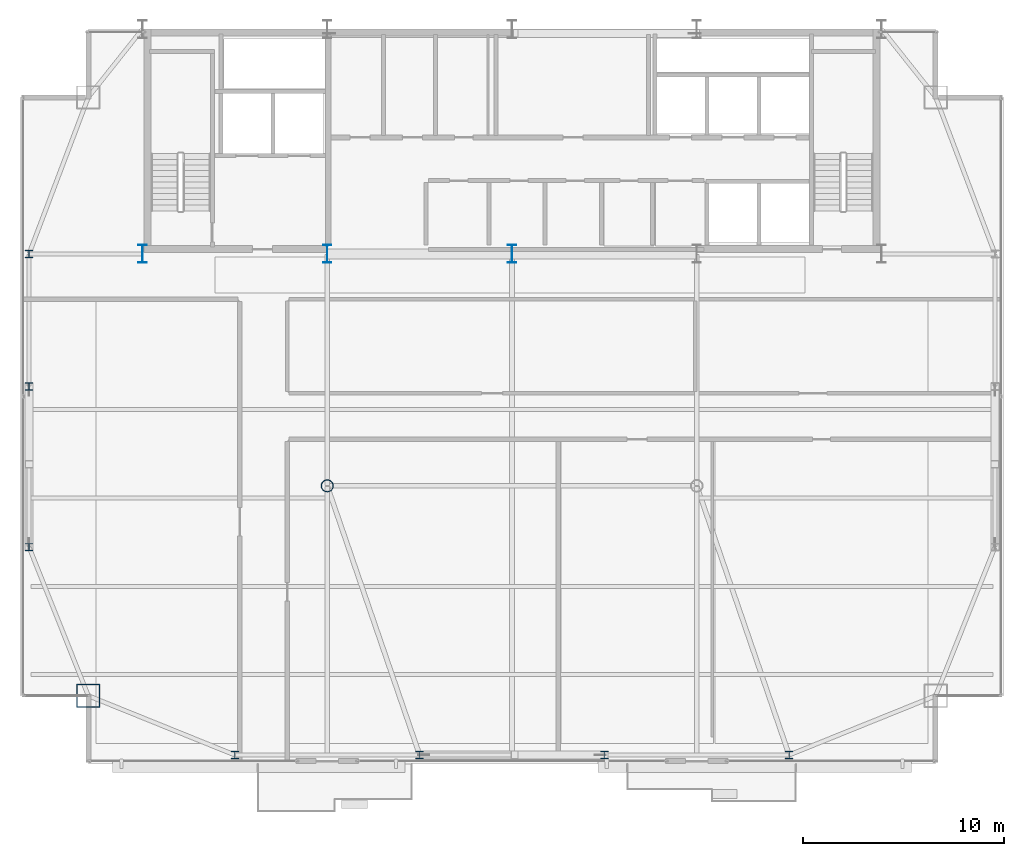
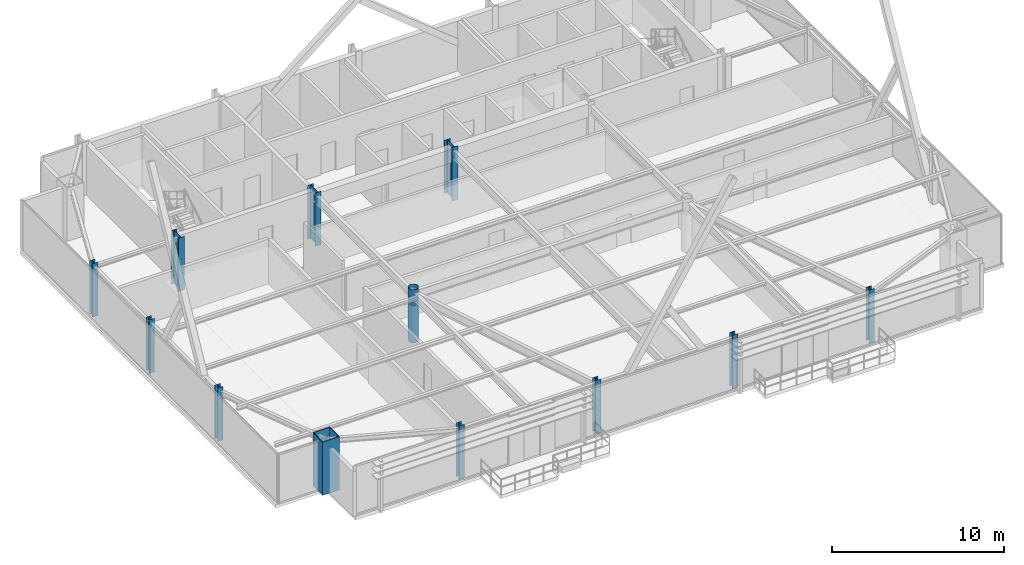
# One storey, part 1 of 31: 12 columns.
"""IFC4 building model written with IfcOpenShell, lengths in metres."""

from ifc_helpers import new_model, si_unit, direction, frame, origin, origin_2d, place, context, subcontext, project, spatial, hollow_rectangle, hollow_circle, i_section, extrude, source, transform, mapped, material, material_profile, profile_set, type_object, type_shapes, element, save


model = new_model("IFC4")

# Units and contexts
model_context = context("Model", 3, precision=1e-05, world=origin(), true_north=direction((0.0, 1.0)))
body_context = subcontext(model_context, "Body", "Model", "MODEL_VIEW")
ifc_project = project(units=[si_unit("LENGTHUNIT", "METRE"), si_unit("AREAUNIT", "SQUARE_METRE"), si_unit("VOLUMEUNIT", "CUBIC_METRE"), si_unit("PLANEANGLEUNIT", "RADIAN"), si_unit("MASSUNIT", "GRAM", prefix="KILO")], contexts=[model_context])

# Site, building, storey
site_placement = place(None, origin())
site = spatial("IfcSite", under=ifc_project, at=site_placement, CompositionType="ELEMENT")
building_placement = place(site_placement, origin())
building = spatial("IfcBuilding", under=site, at=building_placement, Name="Varnel Quay Broadcast Tower", CompositionType="ELEMENT")
storey_placement = place(building_placement, frame((0.0, 0.0, 239.39990234375)))
storey = spatial("IfcBuildingStorey", under=building, at=storey_placement, Name="L59", CompositionType="ELEMENT", Elevation=239.39990234375)

# Columns
ifc_material_1 = material(Name="Structural Steel CSA G40.21 350WT", Category="steel")
ifc_material_profile_1 = material_profile(ifc_material_1, i_section(OverallWidth=0.39990234375, OverallDepth=0.89990234375, WebThickness=0.01611328125, FlangeThickness=0.028076171875, FilletRadius=0.01611328125, at=origin_2d()), Name="WWF900X309")
ifc_profile_set_1 = profile_set([ifc_material_profile_1], Name="Structural Steel CSA G40.21 350WT")
column_type_1 = type_object("IfcColumnType", Name="Col_WWF900X309", PredefinedType="COLUMN", material=ifc_profile_set_1)
shared_shape_1 = source(origin(), body_context, "Body", "SweptSolid", [
    extrude(i_section(OverallWidth=0.39990234375, OverallDepth=0.89990234375, WebThickness=0.01611328125, FlangeThickness=0.028076171875, FilletRadius=0.01611328125, at=origin_2d()), origin(), (0.0, 0.0, 1.0), 3.800048828125),
])
type_shapes(column_type_1, [shared_shape_1])
for number, where, z_axis, x_axis, name in (
    (1, (15.60009765625, 35.60009765625, 0.0), (0.0, 0.0, 1.0), (1.0, 0.0, 0.0), "L59 Column CC-S1"),
    (2, (24.800048828125, 35.60009765625, 0.0), (0.0, 0.0, 1.0), (1.0, 0.0, 0.0), "L59 Column CC-S2"),
    (3, (34.0, 35.60009765625, 0.0), (0.0, 0.0, 1.0), (1.0, 0.0, 0.0), "L59 Column CC-S3"),
):
    element("IfcColumn", number, at=place(storey_placement, frame(where, z_axis=z_axis, x_axis=x_axis)), inside=storey, type_object=column_type_1, Name=name, PredefinedType="COLUMN", context=body_context, shape_type="MappedRepresentation", body=[
        mapped(shared_shape_1, transform((0.0, 0.0, 0.0), x_axis=(1.0, 0.0, 0.0), y_axis=(0.0, 1.0, 0.0), z_axis=(0.0, 0.0, 1.0), scale=1.0)),
    ])
ifc_material_profile_2 = material_profile(ifc_material_1, hollow_rectangle(XDim=1.14990234375, YDim=1.14990234375, WallThickness=0.044921875, at=origin_2d()), Name="BOX1150X1150X45")
ifc_profile_set_2 = profile_set([ifc_material_profile_2], Name="Structural Steel CSA G40.21 350WT")
column_type_2 = type_object("IfcColumnType", Name="Col_BOX1150X1150X45", PredefinedType="COLUMN", material=ifc_profile_set_2)
shared_shape_2 = source(origin(), body_context, "Body", "SweptSolid", [
    extrude(hollow_rectangle(XDim=1.14990234375, YDim=1.14990234375, WallThickness=0.044921875, at=origin_2d()), origin(), (0.0, 0.0, 1.0), 3.800048828125),
])
type_shapes(column_type_2, [shared_shape_2])
column_1_placement = place(storey_placement, frame((12.89990234375, 13.60009765625, 0.0), z_axis=(0.0, 0.0, 1.0), x_axis=(1.0, 0.0, 0.0)))
element("IfcColumn", 4, at=column_1_placement, inside=storey, type_object=column_type_2, Name="L59 Column MC-SW", PredefinedType="COLUMN", context=body_context, shape_type="MappedRepresentation", body=[
    mapped(shared_shape_2, transform((0.0, 0.0, 0.0), x_axis=(1.0, 0.0, 0.0), y_axis=(0.0, 1.0, 0.0), z_axis=(0.0, 0.0, 1.0), scale=1.0)),
])
ifc_material_2 = material(Name="Structural Steel CSA G40.21 350W", Category="steel")
ifc_material_profile_3 = material_profile(ifc_material_2, i_section(OverallWidth=0.368896484375, OverallDepth=0.35595703125, WebThickness=0.01123046875, FlangeThickness=0.01806640625, FilletRadius=0.01611328125, at=origin_2d()), Name="W360X134")
ifc_profile_set_3 = profile_set([ifc_material_profile_3], Name="Structural Steel CSA G40.21 350W")
column_type_3 = type_object("IfcColumnType", Name="Col_W360X134", PredefinedType="COLUMN", material=ifc_profile_set_3)
shared_shape_3 = source(origin(), body_context, "Body", "SweptSolid", [
    extrude(i_section(OverallWidth=0.368896484375, OverallDepth=0.35595703125, WebThickness=0.01123046875, FlangeThickness=0.01806640625, FilletRadius=0.01611328125, at=origin_2d()), origin(), (0.0, 0.0, 1.0), 3.800048828125),
])
type_shapes(column_type_3, [shared_shape_3])
for number, where, z_axis, x_axis, name in (
    (5, (20.199951171875, 10.64990234375, 0.0), (0.0, 0.0, 1.0), (1.0, 0.0, 0.0), "L59 Column TC-S1"),
    (6, (29.39990234375, 10.64990234375, 0.0), (0.0, 0.0, 1.0), (1.0, 0.0, 0.0), "L59 Column TC-S2"),
    (7, (38.60009765625, 10.64990234375, 0.0), (0.0, 0.0, 1.0), (1.0, 0.0, 0.0), "L59 Column TC-S3"),
    (8, (47.800048828125, 10.64990234375, 0.0), (0.0, 0.0, 1.0), (1.0, 0.0, 0.0), "L59 Column TC-S4"),
    (9, (9.949951171875, 21.0, 0.0), (0.0, 0.0, 1.0), (1.0, 0.0, 0.0), "L59 Column TC-W1"),
    (10, (9.949951171875, 29.0, 0.0), (0.0, 0.0, 1.0), (1.0, 0.0, 0.0), "L59 Column TC-W2"),
    (11, (9.949951171875, 35.60009765625, 0.0), (0.0, 0.0, 1.0), (1.0, 0.0, 0.0), "L59 Column TC-W3"),
):
    element("IfcColumn", number, at=place(storey_placement, frame(where, z_axis=z_axis, x_axis=x_axis)), inside=storey, type_object=column_type_3, Name=name, PredefinedType="COLUMN", context=body_context, shape_type="MappedRepresentation", body=[
        mapped(shared_shape_3, transform((0.0, 0.0, 0.0), x_axis=(1.0, 0.0, 0.0), y_axis=(0.0, 1.0, 0.0), z_axis=(0.0, 0.0, 1.0), scale=1.0)),
    ])
ifc_material_profile_4 = material_profile(ifc_material_2, hollow_circle(Radius=0.304931640625, WallThickness=0.02490234375, at=origin_2d()), Name="CHS610X25")
ifc_profile_set_4 = profile_set([ifc_material_profile_4], Name="Structural Steel CSA G40.21 350W")
column_type_4 = type_object("IfcColumnType", Name="Col_CHS610X25", PredefinedType="COLUMN", material=ifc_profile_set_4)
shared_shape_4 = source(origin(), body_context, "Body", "SweptSolid", [
    extrude(hollow_circle(Radius=0.304931640625, WallThickness=0.02490234375, at=origin_2d()), origin(), (0.0, 0.0, 1.0), 3.800048828125),
])
type_shapes(column_type_4, [shared_shape_4])
column_2_placement = place(storey_placement, frame((24.800048828125, 24.050048828125, 0.0), z_axis=(0.0, 0.0, 1.0), x_axis=(1.0, 0.0, 0.0)))
element("IfcColumn", 12, at=column_2_placement, inside=storey, type_object=column_type_4, Name="L59 Column IC-01", PredefinedType="COLUMN", context=body_context, shape_type="MappedRepresentation", body=[
    mapped(shared_shape_4, transform((0.0, 0.0, 0.0), x_axis=(1.0, 0.0, 0.0), y_axis=(0.0, 1.0, 0.0), z_axis=(0.0, 0.0, 1.0), scale=1.0)),
])

save(model, "model.ifc")
